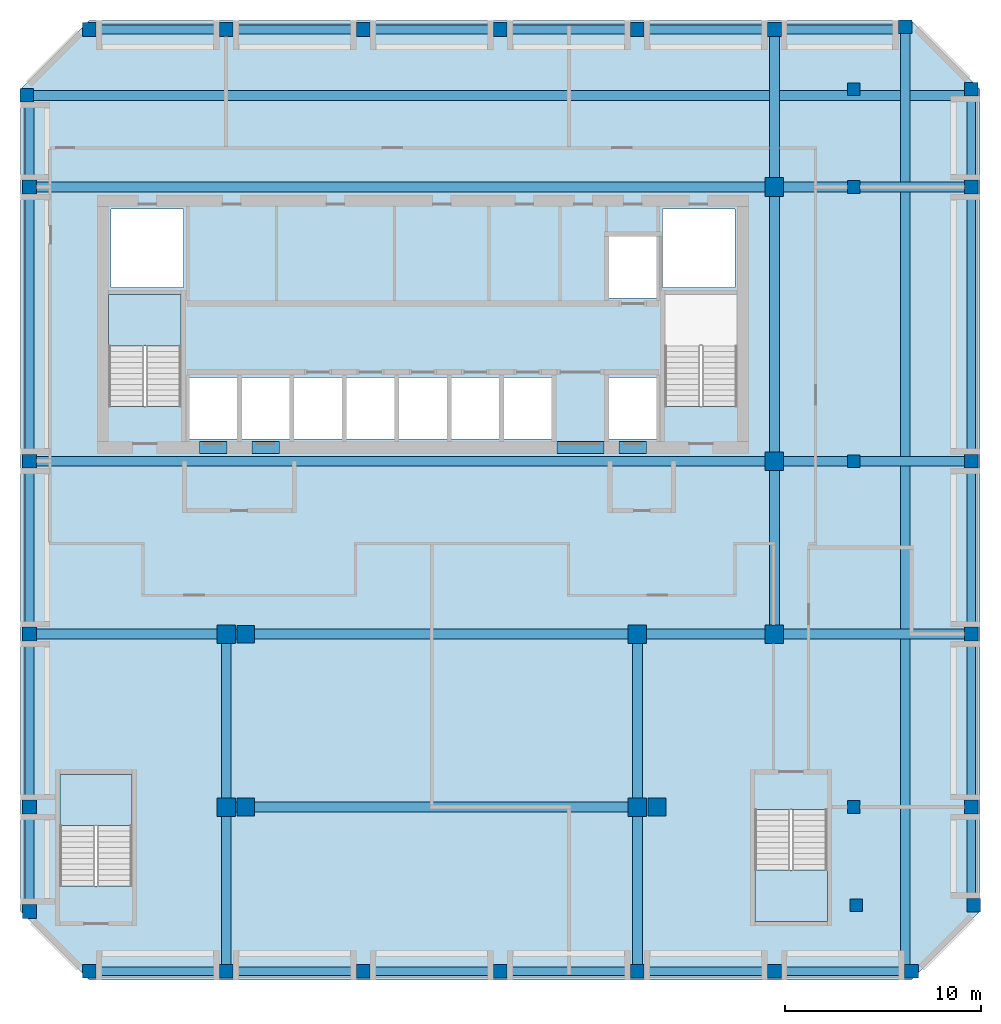
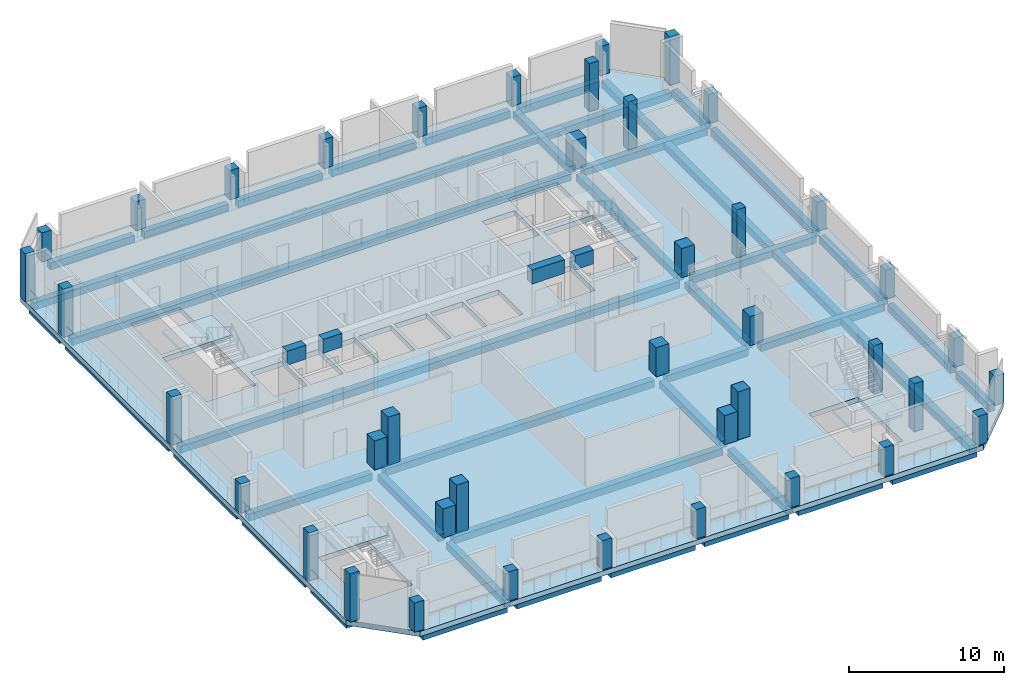
# One storey, part 1 of 7: 44 beams, 41 columns, 4 slabs, 3 elements without a shape of their own.
"""IFC4 building model written with IfcOpenShell, lengths in metres."""

from ifc_helpers import new_model, si_unit, direction, frame, origin, origin_2d, place, context, subcontext, project, spatial, polyline, rectangle, outline, extrude, source, transform, mapped, material, layer, layer_set, material_profile, profile_set, type_object, element, aggregate, save


model = new_model("IFC4")

# Units and contexts
model_context = context("Model", 3, precision=1e-05, world=origin(), true_north=direction((0.0, 1.0)))
body_context = subcontext(model_context, "Body", "Model", "MODEL_VIEW")
ifc_project = project(units=[si_unit("LENGTHUNIT", "METRE"), si_unit("AREAUNIT", "SQUARE_METRE"), si_unit("VOLUMEUNIT", "CUBIC_METRE"), si_unit("PLANEANGLEUNIT", "RADIAN"), si_unit("MASSUNIT", "GRAM", prefix="KILO")], contexts=[model_context])

# Site, building, storey
site_placement = place(None, origin())
site = spatial("IfcSite", under=ifc_project, at=site_placement, CompositionType="ELEMENT")
building_placement = place(site_placement, origin())
building = spatial("IfcBuilding", under=site, at=building_placement, Name="Kilnfold Tower and Market Hall", CompositionType="ELEMENT")
storey_placement = place(building_placement, frame((0.0, 0.0, 262.800048828125)))
storey = spatial("IfcBuildingStorey", under=building, at=storey_placement, Name="L64 Plant Transfer Level", CompositionType="ELEMENT", Elevation=262.800048828125)

# Columns
ifc_material_1 = material(Name="Concrete C60", Category="concrete")
ifc_material_profile_1 = material_profile(ifc_material_1, rectangle(XDim=0.699951171875, YDim=0.699951171875, at=origin_2d()), Name="RC 700x700")
ifc_profile_set_1 = profile_set([ifc_material_profile_1], Name="Concrete C60")
column_type_1 = type_object("IfcColumnType", Name="COLUMN 700X700 C60", PredefinedType="COLUMN", material=ifc_profile_set_1)
shared_shape_1 = source(origin(), body_context, "Body", "SweptSolid", [
    extrude(rectangle(XDim=0.699951171875, YDim=0.699951171875, at=origin_2d()), origin(), (0.0, 0.0, 1.0), 3.800048828125),
])
for number, where, z_axis, x_axis, name in (
    (1, (-19.181884765625, 26.681884765625, 0.0), (0.0, 0.0, 1.0), (1.0, 0.0, 0.0), "Column C-B7-1G"),
    (2, (-19.050048828125, -15.0, 0.0), (0.0, 0.0, 1.0), (1.0, 0.0, 0.0), "Column C-B7-1B"),
    (3, (-19.050048828125, -9.666748046875, 0.0), (0.0, 0.0, 1.0), (1.0, 0.0, 0.0), "Column C-B7-1C"),
    (4, (-19.050048828125, 8.0, 0.0), (0.0, 0.0, 1.0), (1.0, 0.0, 0.0), "Column C-B7-1E"),
    (5, (-19.050048828125, 22.0, 0.0), (0.0, 0.0, 1.0), (1.0, 0.0, 0.0), "Column C-B7-1F"),
    (6, (29.050048828125, 27.0, 0.0), (0.0, 0.0, 1.0), (1.0, 0.0, 0.0), "Column C-B7-9G"),
):
    element("IfcColumn", number, at=place(storey_placement, frame(where, z_axis=z_axis, x_axis=x_axis)), inside=storey, type_object=column_type_1, Name=name, PredefinedType="COLUMN", context=body_context, shape_type="MappedRepresentation", body=[
        mapped(shared_shape_1, transform((0.0, 0.0, 0.0))),
    ])
shared_shape_2 = source(origin(), body_context, "Body", "SweptSolid", [
    extrude(rectangle(XDim=0.699951171875, YDim=0.699951171875, at=origin_2d()), origin(), (0.0, 0.0, 1.0), 2.300048828125),
])
for number, where, z_axis, x_axis, name in (
    (7, (-19.050048828125, -0.833251953125, 0.0), (0.0, 0.0, 1.0), (1.0, 0.0, 0.0), "Column C-B7-1D"),
    (8, (-16.0, -18.050048828125, 0.0), (0.0, 0.0, 1.0), (1.0, 0.0, 0.0), "Column C-B7-2A"),
    (9, (-16.0, 30.050048828125, 0.0), (0.0, 0.0, 1.0), (1.0, 0.0, 0.0), "Column C-B7-2H"),
    (10, (-9.0, -18.050048828125, 0.0), (0.0, 0.0, 1.0), (1.0, 0.0, 0.0), "Column C-B7-3A"),
    (11, (-9.0, 30.050048828125, 0.0), (0.0, 0.0, 1.0), (1.0, 0.0, 0.0), "Column C-B7-3H"),
    (12, (-2.0, -18.050048828125, 0.0), (0.0, 0.0, 1.0), (1.0, 0.0, 0.0), "Column C-B7-4A"),
    (13, (-2.0, 30.050048828125, 0.0), (0.0, 0.0, 1.0), (1.0, 0.0, 0.0), "Column C-B7-4H"),
    (14, (5.0, -18.050048828125, 0.0), (0.0, 0.0, 1.0), (1.0, 0.0, 0.0), "Column C-B7-5A"),
    (15, (5.0, 30.050048828125, 0.0), (0.0, 0.0, 1.0), (1.0, 0.0, 0.0), "Column C-B7-5H"),
    (16, (12.0, -18.050048828125, 0.0), (0.0, 0.0, 1.0), (1.0, 0.0, 0.0), "Column C-B7-6A"),
    (17, (12.0, 30.050048828125, 0.0), (0.0, 0.0, 1.0), (1.0, 0.0, 0.0), "Column C-B7-6H"),
    (18, (19.0, -18.050048828125, 0.0), (0.0, 0.0, 1.0), (1.0, 0.0, 0.0), "Column C-B7-7A"),
    (19, (19.0, 30.050048828125, 0.0), (0.0, 0.0, 1.0), (1.0, 0.0, 0.0), "Column C-B7-7H"),
    (20, (25.681884765625, 30.181884765625, 0.0), (0.0, 0.0, 1.0), (1.0, 0.0, 0.0), "Column C-B7-8H"),
    (21, (26.0, -18.050048828125, 0.0), (0.0, 0.0, 1.0), (1.0, 0.0, 0.0), "Column C-B7-8A"),
    (22, (29.050048828125, -9.666748046875, 0.0), (0.0, 0.0, 1.0), (1.0, 0.0, 0.0), "Column C-B7-9C"),
    (23, (29.050048828125, -0.833251953125, 0.0), (0.0, 0.0, 1.0), (1.0, 0.0, 0.0), "Column C-B7-9D"),
    (24, (29.050048828125, 8.0, 0.0), (0.0, 0.0, 1.0), (1.0, 0.0, 0.0), "Column C-B7-9E"),
    (25, (29.050048828125, 22.0, 0.0), (0.0, 0.0, 1.0), (1.0, 0.0, 0.0), "Column C-B7-9F"),
    (26, (29.181884765625, -14.681884765625, 0.0), (0.0, 0.0, 1.0), (1.0, 0.0, 0.0), "Column C-B7-9B"),
):
    element("IfcColumn", number, at=place(storey_placement, frame(where, z_axis=z_axis, x_axis=x_axis)), inside=storey, type_object=column_type_1, Name=name, PredefinedType="COLUMN", context=body_context, shape_type="MappedRepresentation", body=[
        mapped(shared_shape_2, transform((0.0, 0.0, 0.0))),
    ])
ifc_material_2 = material(Name="Concrete C60", Category="concrete")
ifc_material_profile_2 = material_profile(ifc_material_2, rectangle(XDim=0.949951171875, YDim=0.949951171875, at=origin_2d()), Name="RC 950x950")
ifc_profile_set_2 = profile_set([ifc_material_profile_2], Name="Concrete C60")
column_type_2 = type_object("IfcColumnType", Name="COLUMN 950X950 C60", PredefinedType="COLUMN", material=ifc_profile_set_2)
shared_shape_3 = source(origin(), body_context, "Body", "SweptSolid", [
    extrude(rectangle(XDim=0.949951171875, YDim=0.949951171875, at=origin_2d()), origin(), (0.0, 0.0, 1.0), 2.300048828125),
])
for number, where, z_axis, x_axis, name in (
    (27, (-9.0, -9.666748046875, 0.0), (0.0, 0.0, 1.0), (1.0, 0.0, 0.0), "Column C-B7-3C"),
    (28, (-9.0, -0.833251953125, 0.0), (0.0, 0.0, 1.0), (1.0, 0.0, 0.0), "Column C-B7-3D"),
    (29, (12.0, -9.666748046875, 0.0), (0.0, 0.0, 1.0), (1.0, 0.0, 0.0), "Column C-B7-6C"),
    (30, (12.0, -0.833251953125, 0.0), (0.0, 0.0, 1.0), (1.0, 0.0, 0.0), "Column C-B7-6D"),
    (31, (19.0, -0.833251953125, 0.0), (0.0, 0.0, 1.0), (1.0, 0.0, 0.0), "Column C-B7-7D"),
    (32, (19.0, 8.0, 0.0), (0.0, 0.0, 1.0), (1.0, 0.0, 0.0), "Column C-B7-7E"),
    (33, (19.0, 22.0, 0.0), (0.0, 0.0, 1.0), (1.0, 0.0, 0.0), "Column C-B7-7F"),
):
    element("IfcColumn", number, at=place(storey_placement, frame(where, z_axis=z_axis, x_axis=x_axis)), inside=storey, type_object=column_type_2, Name=name, PredefinedType="COLUMN", context=body_context, shape_type="MappedRepresentation", body=[
        mapped(shared_shape_3, transform((0.0, 0.0, 0.0))),
    ])
ifc_material_3 = material(Name="Concrete C60", Category="concrete")
ifc_material_profile_3 = material_profile(ifc_material_3, rectangle(XDim=0.89990234375, YDim=0.89990234375, at=origin_2d()), Name="RC 900x900")
ifc_profile_set_3 = profile_set([ifc_material_profile_3], Name="Concrete C60")
column_type_3 = type_object("IfcColumnType", Name="COLUMN 900X900 C60", PredefinedType="COLUMN", material=ifc_profile_set_3)
shared_shape_4 = source(origin(), body_context, "Body", "SweptSolid", [
    extrude(rectangle(XDim=0.89990234375, YDim=0.89990234375, at=origin_2d()), origin(), (0.0, 0.0, 1.0), 3.800048828125),
])
for number, where, z_axis, x_axis, name in (
    (34, (-8.0, -9.666748046875, 0.0), (0.0, 0.0, 1.0), (1.0, 0.0, 0.0), "Column C-B8-4C"),
    (35, (-8.0, -0.833251953125, 0.0), (0.0, 0.0, 1.0), (1.0, 0.0, 0.0), "Column C-B8-4D"),
    (36, (13.0, -9.666748046875, 0.0), (0.0, 0.0, 1.0), (1.0, 0.0, 0.0), "Column C-B8-7C"),
):
    element("IfcColumn", number, at=place(storey_placement, frame(where, z_axis=z_axis, x_axis=x_axis)), inside=storey, type_object=column_type_3, Name=name, PredefinedType="COLUMN", context=body_context, shape_type="MappedRepresentation", body=[
        mapped(shared_shape_4, transform((0.0, 0.0, 0.0))),
    ])
ifc_material_4 = material(Name="Concrete C60", Category="concrete")
ifc_material_profile_4 = material_profile(ifc_material_4, rectangle(XDim=0.64990234375, YDim=0.64990234375, at=origin_2d()), Name="RC 650x650")
ifc_profile_set_4 = profile_set([ifc_material_profile_4], Name="Concrete C60")
column_type_4 = type_object("IfcColumnType", Name="COLUMN 650X650 C60", PredefinedType="COLUMN", material=ifc_profile_set_4)
shared_shape_5 = source(origin(), body_context, "Body", "SweptSolid", [
    extrude(rectangle(XDim=0.64990234375, YDim=0.64990234375, at=origin_2d()), origin(), (0.0, 0.0, 1.0), 3.800048828125),
])
for number, where, z_axis, x_axis, name in (
    (37, (23.181884765625, -14.681884765625, 0.0), (0.0, 0.0, 1.0), (1.0, 0.0, 0.0), "Column C-B8-9B"),
    (38, (23.050048828125, -9.666748046875, 0.0), (0.0, 0.0, 1.0), (1.0, 0.0, 0.0), "Column C-B8-9C"),
    (39, (23.050048828125, 8.0, 0.0), (0.0, 0.0, 1.0), (1.0, 0.0, 0.0), "Column C-B8-9E"),
    (40, (23.050048828125, 22.0, 0.0), (0.0, 0.0, 1.0), (1.0, 0.0, 0.0), "Column C-B8-9F"),
    (41, (23.050048828125, 27.0, 0.0), (0.0, 0.0, 1.0), (1.0, 0.0, 0.0), "Column C-B8-9G"),
):
    element("IfcColumn", number, at=place(storey_placement, frame(where, z_axis=z_axis, x_axis=x_axis)), inside=storey, type_object=column_type_4, Name=name, PredefinedType="COLUMN", context=body_context, shape_type="MappedRepresentation", body=[
        mapped(shared_shape_5, transform((0.0, 0.0, 0.0))),
    ])

# Beams
ifc_material_5 = material(Name="Concrete C45", Category="concrete")
ifc_material_profile_5 = material_profile(ifc_material_5, rectangle(XDim=0.449951171875, YDim=0.550048828125, at=origin_2d()), Name="RC 450x550")
ifc_profile_set_5 = profile_set([ifc_material_profile_5], Name="Concrete C45")
beam_type_1 = type_object("IfcBeamType", Name="EDGE BEAM 450X550 C45", PredefinedType="BEAM", material=ifc_profile_set_5)
shared_shape_6 = source(origin(), body_context, "Body", "SweptSolid", [
    extrude(rectangle(XDim=0.449951171875, YDim=0.550048828125, at=origin_2d()), origin(), (0.0, 0.0, 1.0), 13.2998046875),
])
for number, where, z_axis, x_axis, name in (
    (42, (-19.050048828125, 8.35009765625, -0.675048828125), (0.0, 1.0, 0.0), (-1.0, 0.0, 0.0), "Beam EB550-B7.50"),
    (43, (29.050048828125, 8.35009765625, -0.675048828125), (0.0, 1.0, 0.0), (-1.0, 0.0, 0.0), "Beam EB550-B7.58"),
):
    element("IfcBeam", number, at=place(storey_placement, frame(where, z_axis=z_axis, x_axis=x_axis)), inside=storey, type_object=beam_type_1, Name=name, PredefinedType="BEAM", context=body_context, shape_type="MappedRepresentation", body=[
        mapped(shared_shape_6, transform((0.0, 0.0, 0.0))),
    ])
shared_shape_7 = source(origin(), body_context, "Body", "SweptSolid", [
    extrude(rectangle(XDim=0.449951171875, YDim=0.550048828125, at=origin_2d()), origin(), (0.0, 0.0, 1.0), 6.2998046875),
])
for number, where, z_axis, x_axis, name in (
    (44, (-15.64990234375, -18.050048828125, -0.675048828125), (1.0, 0.0, 0.0), (0.0, 1.0, 0.0), "Beam EB550-B7.59"),
    (45, (-8.64990234375, -18.050048828125, -0.675048828125), (1.0, 0.0, 0.0), (0.0, 1.0, 0.0), "Beam EB550-B7.60"),
    (46, (-1.64990234375, -18.050048828125, -0.675048828125), (1.0, 0.0, 0.0), (0.0, 1.0, 0.0), "Beam EB550-B7.61"),
    (47, (5.35009765625, -18.050048828125, -0.675048828125), (1.0, 0.0, 0.0), (0.0, 1.0, 0.0), "Beam EB550-B7.62"),
    (48, (12.35009765625, -18.050048828125, -0.675048828125), (1.0, 0.0, 0.0), (0.0, 1.0, 0.0), "Beam EB550-B7.63"),
    (49, (19.35009765625, -18.050048828125, -0.675048828125), (1.0, 0.0, 0.0), (0.0, 1.0, 0.0), "Beam EB550-B7.64"),
    (50, (-15.64990234375, 30.050048828125, -0.675048828125), (1.0, 0.0, 0.0), (0.0, 1.0, 0.0), "Beam EB550-B7.72"),
    (51, (-8.64990234375, 30.050048828125, -0.675048828125), (1.0, 0.0, 0.0), (0.0, 1.0, 0.0), "Beam EB550-B7.73"),
    (52, (-1.64990234375, 30.050048828125, -0.675048828125), (1.0, 0.0, 0.0), (0.0, 1.0, 0.0), "Beam EB550-B7.74"),
    (53, (5.35009765625, 30.050048828125, -0.675048828125), (1.0, 0.0, 0.0), (0.0, 1.0, 0.0), "Beam EB550-B7.75"),
    (54, (12.35009765625, 30.050048828125, -0.675048828125), (1.0, 0.0, 0.0), (0.0, 1.0, 0.0), "Beam EB550-B7.76"),
):
    element("IfcBeam", number, at=place(storey_placement, frame(where, z_axis=z_axis, x_axis=x_axis)), inside=storey, type_object=beam_type_1, Name=name, PredefinedType="BEAM", context=body_context, shape_type="MappedRepresentation", body=[
        mapped(shared_shape_7, transform((0.0, 0.0, 0.0))),
    ])
ifc_material_6 = material(Name="Concrete C45", Category="concrete")
ifc_material_profile_6 = material_profile(ifc_material_6, rectangle(XDim=0.5, YDim=0.550048828125, at=origin_2d()), Name="RC 500x550")
ifc_profile_set_6 = profile_set([ifc_material_profile_6], Name="Concrete C45")
beam_type_2 = type_object("IfcBeamType", Name="BEAM 500X550 C45", PredefinedType="BEAM", material=ifc_profile_set_6)
shared_shape_8 = source(origin(), body_context, "Body", "SweptSolid", [
    extrude(rectangle(XDim=0.5, YDim=0.550048828125, at=origin_2d()), origin(), (0.0, 0.0, 1.0), 9.224853515625),
])
for number, where, z_axis, x_axis, name in (
    (55, (-18.699951171875, -0.830078125, -0.675048828125), (1.0, 0.0, 0.0), (0.0, 1.0, 0.0), "Beam BB550-B7.65"),
    (56, (19.47509765625, -0.830078125, -0.675048828125), (1.0, 0.0, 0.0), (0.0, 1.0, 0.0), "Beam BB550-B7.66"),
    (57, (19.47509765625, 8.0, -0.675048828125), (1.0, 0.0, 0.0), (0.0, 1.0, 0.0), "Beam BB550-B7.68"),
    (58, (19.47509765625, 22.0, -0.675048828125), (1.0, 0.0, 0.0), (0.0, 1.0, 0.0), "Beam BB550-B7.70"),
):
    element("IfcBeam", number, at=place(storey_placement, frame(where, z_axis=z_axis, x_axis=x_axis)), inside=storey, type_object=beam_type_2, Name=name, PredefinedType="BEAM", context=body_context, shape_type="MappedRepresentation", body=[
        mapped(shared_shape_8, transform((0.0, 0.0, 0.0))),
    ])
shared_shape_9 = source(origin(), body_context, "Body", "SweptSolid", [
    extrude(rectangle(XDim=0.5, YDim=0.550048828125, at=origin_2d()), origin(), (0.0, 0.0, 1.0), 37.224853515625),
])
for number, where, z_axis, x_axis, name in (
    (59, (-18.699951171875, 8.0, -0.675048828125), (1.0, 0.0, 0.0), (0.0, 1.0, 0.0), "Beam BB550-B7.67"),
    (60, (-18.699951171875, 22.0, -0.675048828125), (1.0, 0.0, 0.0), (0.0, 1.0, 0.0), "Beam BB550-B7.69"),
):
    element("IfcBeam", number, at=place(storey_placement, frame(where, z_axis=z_axis, x_axis=x_axis)), inside=storey, type_object=beam_type_2, Name=name, PredefinedType="BEAM", context=body_context, shape_type="MappedRepresentation", body=[
        mapped(shared_shape_9, transform((0.0, 0.0, 0.0))),
    ])
shared_shape_10 = source(origin(), body_context, "Body", "SweptSolid", [
    extrude(rectangle(XDim=0.5, YDim=0.550048828125, at=origin_2d()), origin(), (0.0, 0.0, 1.0), 47.53173828125),
])
for number, where, z_axis, x_axis, name in (
    (61, (-18.831787109375, 26.679931640625, -0.675048828125), (1.0, 0.0, 0.0), (0.0, 1.0, 0.0), "Beam BB550-B7.71"),
    (62, (25.679931640625, -17.699951171875, -0.675048828125), (0.0, 1.0, 0.0), (-1.0, 0.0, 0.0), "Beam BB550-B7.85"),
):
    element("IfcBeam", number, at=place(storey_placement, frame(where, z_axis=z_axis, x_axis=x_axis)), inside=storey, type_object=beam_type_2, Name=name, PredefinedType="BEAM", context=body_context, shape_type="MappedRepresentation", body=[
        mapped(shared_shape_10, transform((0.0, 0.0, 0.0))),
    ])
shared_shape_11 = source(origin(), body_context, "Body", "SweptSolid", [
    extrude(rectangle(XDim=0.449951171875, YDim=0.550048828125, at=origin_2d()), origin(), (0.0, 0.0, 1.0), 5.981689453125),
])
beam_1_placement = place(storey_placement, frame((19.35009765625, 30.050048828125, -0.675048828125), z_axis=(1.0, 0.0, 0.0), x_axis=(0.0, 1.0, 0.0)))
element("IfcBeam", 63, at=beam_1_placement, inside=storey, type_object=beam_type_1, Name="Beam EB550-B7.77", PredefinedType="BEAM", context=body_context, shape_type="MappedRepresentation", body=[
    mapped(shared_shape_11, transform((0.0, 0.0, 0.0))),
])
shared_shape_12 = source(origin(), body_context, "Body", "SweptSolid", [
    extrude(rectangle(XDim=0.449951171875, YDim=0.550048828125, at=origin_2d()), origin(), (0.0, 0.0, 1.0), 4.63330078125),
])
beam_2_placement = place(storey_placement, frame((-19.050048828125, -14.64990234375, -0.675048828125), z_axis=(0.0, 1.0, 0.0), x_axis=(-1.0, 0.0, 0.0)))
element("IfcBeam", 64, at=beam_2_placement, inside=storey, type_object=beam_type_1, Name="Beam EB550-B7.78", PredefinedType="BEAM", context=body_context, shape_type="MappedRepresentation", body=[
    mapped(shared_shape_12, transform((0.0, 0.0, 0.0))),
])
shared_shape_13 = source(origin(), body_context, "Body", "SweptSolid", [
    extrude(rectangle(XDim=0.449951171875, YDim=0.550048828125, at=origin_2d()), origin(), (0.0, 0.0, 1.0), 8.13330078125),
])
for number, where, z_axis, x_axis, name in (
    (65, (-19.050048828125, -9.316650390625, -0.675048828125), (0.0, 1.0, 0.0), (-1.0, 0.0, 0.0), "Beam EB550-B7.79"),
    (66, (-19.050048828125, -0.4833984375, -0.675048828125), (0.0, 1.0, 0.0), (-1.0, 0.0, 0.0), "Beam EB550-B7.80"),
    (67, (29.050048828125, -9.316650390625, -0.675048828125), (0.0, 1.0, 0.0), (-1.0, 0.0, 0.0), "Beam EB550-B7.87"),
    (68, (29.050048828125, -0.4833984375, -0.675048828125), (0.0, 1.0, 0.0), (-1.0, 0.0, 0.0), "Beam EB550-B7.88"),
):
    element("IfcBeam", number, at=place(storey_placement, frame(where, z_axis=z_axis, x_axis=x_axis)), inside=storey, type_object=beam_type_1, Name=name, PredefinedType="BEAM", context=body_context, shape_type="MappedRepresentation", body=[
        mapped(shared_shape_13, transform((0.0, 0.0, 0.0))),
    ])
shared_shape_14 = source(origin(), body_context, "Body", "SweptSolid", [
    extrude(rectangle(XDim=0.449951171875, YDim=0.550048828125, at=origin_2d()), origin(), (0.0, 0.0, 1.0), 3.981689453125),
])
beam_3_placement = place(storey_placement, frame((-19.050048828125, 22.35009765625, -0.675048828125), z_axis=(0.0, 1.0, 0.0), x_axis=(-1.0, 0.0, 0.0)))
element("IfcBeam", 69, at=beam_3_placement, inside=storey, type_object=beam_type_1, Name="Beam EB550-B7.81", PredefinedType="BEAM", context=body_context, shape_type="MappedRepresentation", body=[
    mapped(shared_shape_14, transform((0.0, 0.0, 0.0))),
])
shared_shape_15 = source(origin(), body_context, "Body", "SweptSolid", [
    extrude(rectangle(XDim=0.5, YDim=0.550048828125, at=origin_2d()), origin(), (0.0, 0.0, 1.0), 7.88330078125),
])
for number, where, z_axis, x_axis, name in (
    (70, (-9.0, -9.191650390625, -0.675048828125), (0.0, 1.0, 0.0), (-1.0, 0.0, 0.0), "Beam BB550-B7.82"),
    (71, (12.0, -9.191650390625, -0.675048828125), (0.0, 1.0, 0.0), (-1.0, 0.0, 0.0), "Beam BB550-B7.83"),
    (72, (19.0, -0.3583984375, -0.675048828125), (0.0, 1.0, 0.0), (-1.0, 0.0, 0.0), "Beam BB550-B7.84"),
):
    element("IfcBeam", number, at=place(storey_placement, frame(where, z_axis=z_axis, x_axis=x_axis)), inside=storey, type_object=beam_type_2, Name=name, PredefinedType="BEAM", context=body_context, shape_type="MappedRepresentation", body=[
        mapped(shared_shape_15, transform((0.0, 0.0, 0.0))),
    ])
shared_shape_16 = source(origin(), body_context, "Body", "SweptSolid", [
    extrude(rectangle(XDim=0.449951171875, YDim=0.550048828125, at=origin_2d()), origin(), (0.0, 0.0, 1.0), 4.315185546875),
])
beam_4_placement = place(storey_placement, frame((29.050048828125, -14.331787109375, -0.675048828125), z_axis=(0.0, 1.0, 0.0), x_axis=(-1.0, 0.0, 0.0)))
element("IfcBeam", 73, at=beam_4_placement, inside=storey, type_object=beam_type_1, Name="Beam EB550-B7.86", PredefinedType="BEAM", context=body_context, shape_type="MappedRepresentation", body=[
    mapped(shared_shape_16, transform((0.0, 0.0, 0.0))),
])
shared_shape_17 = source(origin(), body_context, "Body", "SweptSolid", [
    extrude(rectangle(XDim=0.449951171875, YDim=0.550048828125, at=origin_2d()), origin(), (0.0, 0.0, 1.0), 4.2998046875),
])
beam_5_placement = place(storey_placement, frame((29.050048828125, 22.35009765625, -0.675048828125), z_axis=(0.0, 1.0, 0.0), x_axis=(-1.0, 0.0, 0.0)))
element("IfcBeam", 74, at=beam_5_placement, inside=storey, type_object=beam_type_1, Name="Beam EB550-B7.89", PredefinedType="BEAM", context=body_context, shape_type="MappedRepresentation", body=[
    mapped(shared_shape_17, transform((0.0, 0.0, 0.0))),
])
shared_shape_18 = source(origin(), body_context, "Body", "SweptSolid", [
    extrude(rectangle(XDim=0.5, YDim=0.550048828125, at=origin_2d()), origin(), (0.0, 0.0, 1.0), 20.0498046875),
])
for number, where, z_axis, x_axis, name in (
    (75, (-8.52490234375, -9.669921875, -0.675048828125), (1.0, 0.0, 0.0), (0.0, 1.0, 0.0), "Beam BB550-B7.90"),
    (76, (-8.52490234375, -0.830078125, -0.675048828125), (1.0, 0.0, 0.0), (0.0, 1.0, 0.0), "Beam BB550-B7.91"),
):
    element("IfcBeam", number, at=place(storey_placement, frame(where, z_axis=z_axis, x_axis=x_axis)), inside=storey, type_object=beam_type_2, Name=name, PredefinedType="BEAM", context=body_context, shape_type="MappedRepresentation", body=[
        mapped(shared_shape_18, transform((0.0, 0.0, 0.0))),
    ])
ifc_material_7 = material(Name="Concrete C50", Category="concrete")
ifc_material_profile_7 = material_profile(ifc_material_7, rectangle(XDim=0.60009765625, YDim=1.10009765625, at=origin_2d()), Name="RC 600x1100")
ifc_profile_set_7 = profile_set([ifc_material_profile_7], Name="Concrete C50")
beam_type_3 = type_object("IfcBeamType", Name="COUPLING BEAM 600X1100 C50", PredefinedType="BEAM", material=ifc_profile_set_7)
shared_shape_19 = source(origin(), body_context, "Body", "SweptSolid", [
    extrude(rectangle(XDim=0.60009765625, YDim=1.10009765625, at=origin_2d()), origin(), (0.0, 0.0, 1.0), 1.400146484375),
])
beam_6_placement = place(storey_placement, frame((-10.3701171875, 8.699951171875, 3.25), z_axis=(1.0, 0.0, 0.0), x_axis=(0.0, 1.0, 0.0)))
element("IfcBeam", 77, at=beam_6_placement, inside=storey, type_object=beam_type_3, Name="Coupling beam CB1100-50-CORE.30", PredefinedType="BEAM", context=body_context, shape_type="MappedRepresentation", body=[
    mapped(shared_shape_19, transform((0.0, 0.0, 0.0))),
])
shared_shape_20 = source(origin(), body_context, "Body", "SweptSolid", [
    extrude(rectangle(XDim=0.60009765625, YDim=1.10009765625, at=origin_2d()), origin(), (0.0, 0.0, 1.0), 1.39990234375),
])
for number, where, z_axis, x_axis, name in (
    (78, (-7.68994140625, 8.699951171875, 3.25), (1.0, 0.0, 0.0), (0.0, 1.0, 0.0), "Coupling beam CB1100-50-CORE.31"),
    (79, (11.070068359375, 8.699951171875, 3.25), (1.0, 0.0, 0.0), (0.0, 1.0, 0.0), "Coupling beam CB1100-50-CORE.33"),
):
    element("IfcBeam", number, at=place(storey_placement, frame(where, z_axis=z_axis, x_axis=x_axis)), inside=storey, type_object=beam_type_3, Name=name, PredefinedType="BEAM", context=body_context, shape_type="MappedRepresentation", body=[
        mapped(shared_shape_20, transform((0.0, 0.0, 0.0))),
    ])
shared_shape_21 = source(origin(), body_context, "Body", "SweptSolid", [
    extrude(rectangle(XDim=0.60009765625, YDim=1.10009765625, at=origin_2d()), origin(), (0.0, 0.0, 1.0), 2.400146484375),
])
beam_7_placement = place(storey_placement, frame((7.889892578125, 8.699951171875, 3.25), z_axis=(1.0, 0.0, 0.0), x_axis=(0.0, 1.0, 0.0)))
element("IfcBeam", 80, at=beam_7_placement, inside=storey, type_object=beam_type_3, Name="Coupling beam CB1100-50-CORE.32", PredefinedType="BEAM", context=body_context, shape_type="MappedRepresentation", body=[
    mapped(shared_shape_21, transform((0.0, 0.0, 0.0))),
])
shared_shape_22 = source(origin(), body_context, "Body", "SweptSolid", [
    extrude(rectangle(XDim=0.5, YDim=0.550048828125, at=origin_2d()), origin(), (0.0, 0.0, 1.0), 6.0498046875),
])
beam_8_placement = place(storey_placement, frame((12.47509765625, -0.830078125, -0.675048828125), z_axis=(1.0, 0.0, 0.0), x_axis=(0.0, 1.0, 0.0)))
element("IfcBeam", 81, at=beam_8_placement, inside=storey, type_object=beam_type_2, Name="Beam BB550-B7.92", PredefinedType="BEAM", context=body_context, shape_type="MappedRepresentation", body=[
    mapped(shared_shape_22, transform((0.0, 0.0, 0.0))),
])
shared_shape_23 = source(origin(), body_context, "Body", "SweptSolid", [
    extrude(rectangle(XDim=0.5, YDim=0.550048828125, at=origin_2d()), origin(), (0.0, 0.0, 1.0), 7.558349609375),
])
for number, where, z_axis, x_axis, name in (
    (82, (-9.0, -17.699951171875, -0.675048828125), (0.0, 1.0, 0.0), (-1.0, 0.0, 0.0), "Beam BB550-B7.93"),
    (83, (12.0, -17.699951171875, -0.675048828125), (0.0, 1.0, 0.0), (-1.0, 0.0, 0.0), "Beam BB550-B7.94"),
):
    element("IfcBeam", number, at=place(storey_placement, frame(where, z_axis=z_axis, x_axis=x_axis)), inside=storey, type_object=beam_type_2, Name=name, PredefinedType="BEAM", context=body_context, shape_type="MappedRepresentation", body=[
        mapped(shared_shape_23, transform((0.0, 0.0, 0.0))),
    ])
shared_shape_24 = source(origin(), body_context, "Body", "SweptSolid", [
    extrude(rectangle(XDim=0.5, YDim=0.550048828125, at=origin_2d()), origin(), (0.0, 0.0, 1.0), 13.0498046875),
])
beam_9_placement = place(storey_placement, frame((19.0, 8.47509765625, -0.675048828125), z_axis=(0.0, 1.0, 0.0), x_axis=(-1.0, 0.0, 0.0)))
element("IfcBeam", 84, at=beam_9_placement, inside=storey, type_object=beam_type_2, Name="Beam BB550-B7.95", PredefinedType="BEAM", context=body_context, shape_type="MappedRepresentation", body=[
    mapped(shared_shape_24, transform((0.0, 0.0, 0.0))),
])
shared_shape_25 = source(origin(), body_context, "Body", "SweptSolid", [
    extrude(rectangle(XDim=0.5, YDim=0.550048828125, at=origin_2d()), origin(), (0.0, 0.0, 1.0), 7.224853515625),
])
beam_10_placement = place(storey_placement, frame((19.0, 22.47509765625, -0.675048828125), z_axis=(0.0, 1.0, 0.0), x_axis=(-1.0, 0.0, 0.0)))
element("IfcBeam", 85, at=beam_10_placement, inside=storey, type_object=beam_type_2, Name="Beam BB550-B7.96", PredefinedType="BEAM", context=body_context, shape_type="MappedRepresentation", body=[
    mapped(shared_shape_25, transform((0.0, 0.0, 0.0))),
])

# Slab
ifc_material_8 = material(Name="Concrete C45", Category="concrete")
ifc_layer_1 = layer(ifc_material_8, 0.39990234375)
ifc_layer_set_1 = layer_set([ifc_layer_1], Name="Concrete C45")
slab_type_1 = type_object("IfcSlabType", Name="FLOOR SLAB 400", PredefinedType="FLOOR", material=ifc_layer_set_1)
shared_shape_26 = source(origin(), body_context, "Body", "SweptSolid", [
    extrude(outline(polyline([(-16.0, -18.5), (26.0, -18.5), (29.5, -15.0), (29.5, 27.0), (26.0, 30.5), (-16.0, 30.5), (-19.5, 27.0), (-19.5, -15.0), (-16.0, -18.5)]), holes=[polyline([(-13.800537109375, -8.00048828125), (-13.800537109375, -13.699462890625), (-17.49951171875, -13.699462890625), (-17.49951171875, -8.00048828125), (-13.800537109375, -8.00048828125)]), polyline([(-11.300537109375, 10.800537109375), (-14.99951171875, 10.800537109375), (-14.99951171875, 16.49951171875), (-11.300537109375, 16.49951171875), (-11.300537109375, 10.800537109375)]), polyline([(-11.175048828125, 16.875), (-14.875, 16.875), (-14.875, 20.875), (-11.175048828125, 20.875), (-11.175048828125, 16.875)]), polyline([(-8.455078125, 9.125), (-10.885009765625, 9.125), (-10.885009765625, 12.27490234375), (-8.455078125, 12.27490234375), (-8.455078125, 9.125)]), polyline([(-5.77490234375, 9.125), (-8.205078125, 9.125), (-8.205078125, 12.27490234375), (-5.77490234375, 12.27490234375), (-5.77490234375, 9.125)]), polyline([(-3.094970703125, 9.125), (-5.52490234375, 9.125), (-5.52490234375, 12.27490234375), (-3.094970703125, 12.27490234375), (-3.094970703125, 9.125)]), polyline([(-0.4150390625, 9.125), (-2.844970703125, 9.125), (-2.844970703125, 12.27490234375), (-0.4150390625, 12.27490234375), (-0.4150390625, 9.125)]), polyline([(2.264892578125, 9.125), (-0.1650390625, 9.125), (-0.1650390625, 12.27490234375), (2.264892578125, 12.27490234375), (2.264892578125, 9.125)]), polyline([(4.945068359375, 9.125), (2.514892578125, 9.125), (2.514892578125, 12.27490234375), (4.945068359375, 12.27490234375), (4.945068359375, 9.125)]), polyline([(7.625, 9.125), (5.195068359375, 9.125), (5.195068359375, 12.27490234375), (7.625, 12.27490234375), (7.625, 9.125)]), polyline([(12.985107421875, 9.125), (10.554931640625, 9.125), (10.554931640625, 12.27490234375), (12.985107421875, 12.27490234375), (12.985107421875, 9.125)]), polyline([(12.985107421875, 16.324951171875), (10.554931640625, 16.324951171875), (10.554931640625, 19.47509765625), (12.985107421875, 19.47509765625), (12.985107421875, 16.324951171875)]), polyline([(16.97509765625, 16.875), (13.27490234375, 16.875), (13.27490234375, 20.875), (16.97509765625, 20.875), (16.97509765625, 16.875)]), polyline([(17.099609375, 10.800537109375), (13.400390625, 10.800537109375), (13.400390625, 16.49951171875), (17.099609375, 16.49951171875), (17.099609375, 10.800537109375)]), polyline([(18.00048828125, -9.800537109375), (21.699462890625, -9.800537109375), (21.699462890625, -15.49951171875), (18.00048828125, -15.49951171875), (18.00048828125, -9.800537109375)])]), origin(), (0.0, 0.0, 1.0), 0.400146484375),
])
slab_1_placement = place(storey_placement, frame((0.0, 0.0, -0.400146484375)))
element("IfcSlab", 86, at=slab_1_placement, inside=storey, type_object=slab_type_1, Name="Floor slab L64", PredefinedType="FLOOR", context=body_context, shape_type="MappedRepresentation", body=[
    mapped(shared_shape_26, transform((0.0, 0.0, 0.0))),
])

# Stair, slab
ifc_material_9 = material(Name="Concrete C40/50", Category="concrete")
stair_type = type_object("IfcStairType", Name="CORE STAIR 1800", PredefinedType="HALF_TURN_STAIR", material=ifc_material_9)
stair_1_placement = place(storey_placement, origin())
stair_1 = element("IfcStair", 87, at=stair_1_placement, inside=storey, type_object=stair_type, Name="L64 Plant Transfer Level ST1", PredefinedType="HALF_TURN_STAIR")
ifc_material_10 = material(Name="Concrete C40/50", Category="concrete")
ifc_layer_2 = layer(ifc_material_10, 0.199951171875)
ifc_layer_set_2 = layer_set([ifc_layer_2], Name="Concrete C40/50")
slab_type_2 = type_object("IfcSlabType", Name="CORE STAIR LANDING 200", PredefinedType="LANDING", material=ifc_layer_set_2)
shared_shape_27 = source(origin(), body_context, "Body", "SweptSolid", [
    extrude(outline(polyline([(-11.300048828125, 13.8798828125), (-11.300048828125, 16.5), (-15.0, 16.5), (-15.0, 13.8798828125), (-11.300048828125, 13.8798828125)])), origin(), (0.0, 0.0, 1.0), 0.199951171875),
])
slab_2_placement = place(storey_placement, frame((0.0, 0.0, 1.89990234375)))
slab_2 = element("IfcSlab", 88, at=slab_2_placement, type_object=slab_type_2, Name="ST1 landing 1", PredefinedType="LANDING", context=body_context, shape_type="MappedRepresentation", body=[
    mapped(shared_shape_27, transform((0.0, 0.0, 0.0))),
])
aggregate(stair_1, [slab_2])

stair_2_placement = place(storey_placement, origin())
stair_2 = element("IfcStair", 89, at=stair_2_placement, inside=storey, type_object=stair_type, Name="L64 Plant Transfer Level ST3", PredefinedType="HALF_TURN_STAIR")
shared_shape_28 = source(origin(), body_context, "Body", "SweptSolid", [
    extrude(outline(polyline([(-13.800048828125, -10.6201171875), (-13.800048828125, -8.0), (-17.5, -8.0), (-17.5, -10.6201171875), (-13.800048828125, -10.6201171875)])), origin(), (0.0, 0.0, 1.0), 0.199951171875),
])
slab_3_placement = place(storey_placement, frame((0.0, 0.0, 1.89990234375)))
slab_3 = element("IfcSlab", 90, at=slab_3_placement, type_object=slab_type_2, Name="ST3 landing 1", PredefinedType="LANDING", context=body_context, shape_type="MappedRepresentation", body=[
    mapped(shared_shape_28, transform((0.0, 0.0, 0.0))),
])
aggregate(stair_2, [slab_3])

stair_3_placement = place(storey_placement, origin())
stair_3 = element("IfcStair", 91, at=stair_3_placement, inside=storey, type_object=stair_type, Name="L64 Plant Transfer Level ST4", PredefinedType="HALF_TURN_STAIR")
shared_shape_29 = source(origin(), body_context, "Body", "SweptSolid", [
    extrude(outline(polyline([(18.0, -12.8798828125), (18.0, -15.5), (21.699951171875, -15.5), (21.699951171875, -12.8798828125), (18.0, -12.8798828125)])), origin(), (0.0, 0.0, 1.0), 0.199951171875),
])
slab_4_placement = place(storey_placement, frame((0.0, 0.0, 1.89990234375)))
slab_4 = element("IfcSlab", 92, at=slab_4_placement, type_object=slab_type_2, Name="ST4 landing 1", PredefinedType="LANDING", context=body_context, shape_type="MappedRepresentation", body=[
    mapped(shared_shape_29, transform((0.0, 0.0, 0.0))),
])
aggregate(stair_3, [slab_4])

save(model, "model.ifc")
